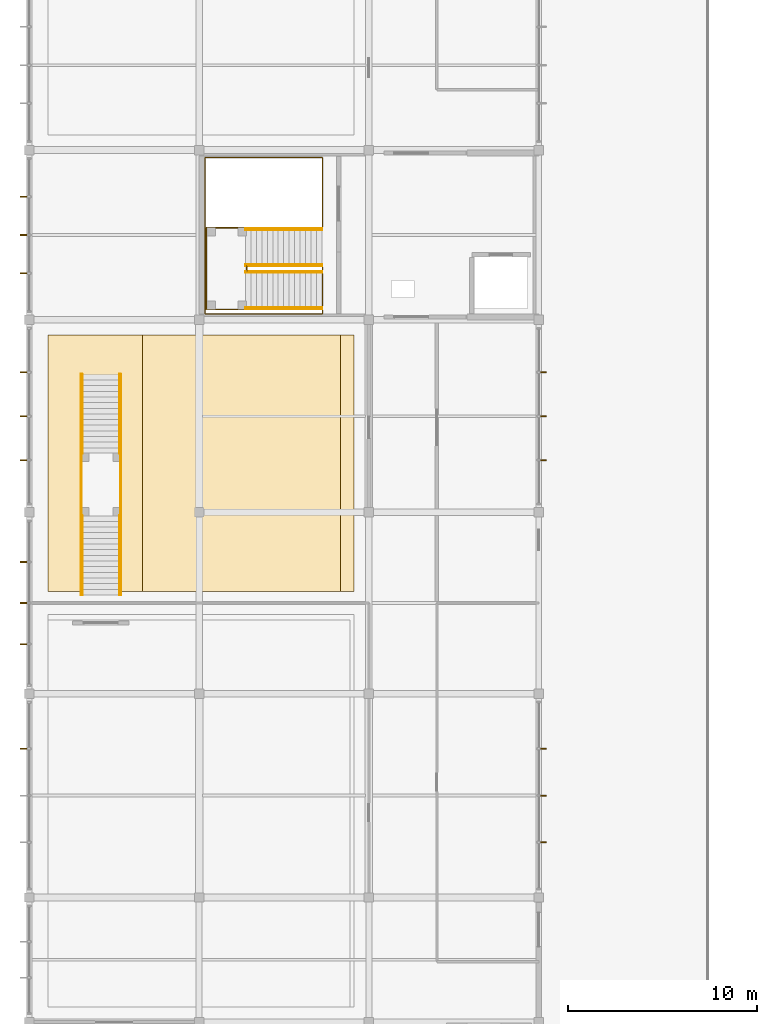
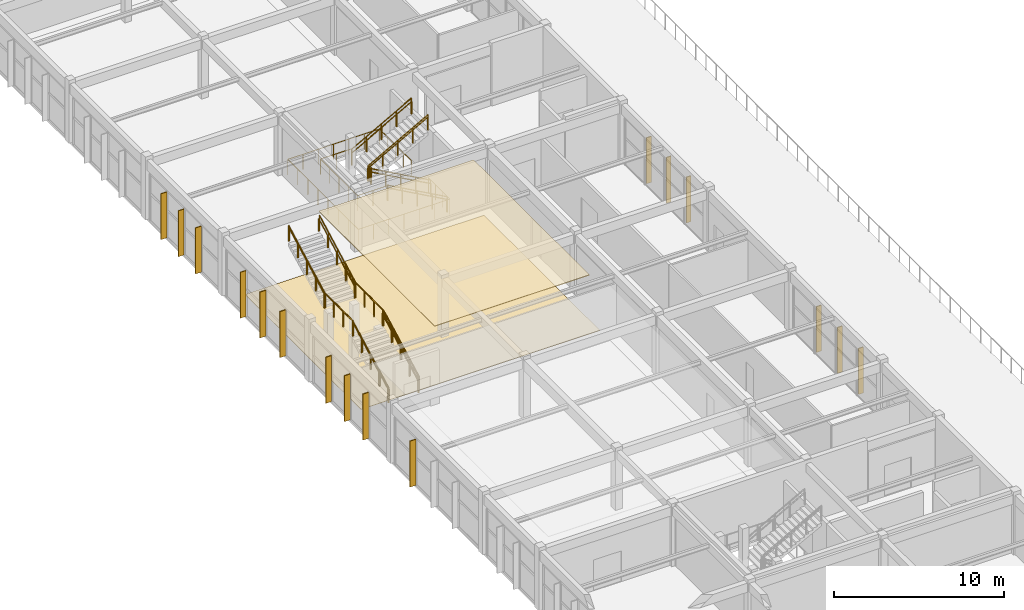
# One storey, part 19 of 22: 21 railings, 16 shading devices, 2 coverings.
"""IFC4 building model written with IfcOpenShell, lengths in metres."""

import ifcopenshell
import ifcopenshell.guid

model = None  # the IFC model being written
_history = None  # IfcOwnerHistory: only IFC2X3 demands one
_inside = {}  # id of a spatial element -> (the spatial element, [elements in it])
_under = {}  # id of a project, library or spatial element -> (it, [spatial elements below it])
_declared = {}  # id of a project -> (the project, [libraries it declares])
_typed = {}  # id of a type object -> (the type object, [elements of that type])
_made_of = {}  # id of a material, layer set ... -> (it, [elements and type objects made of it])


def new_model(schema):
    """Start an empty IFC model of exactly this schema.

    Asked for "IFC4X3", IfcOpenShell would pick the latest addendum, in which some entities
    have other attributes; the version numbers below select the first issue.
    IFC2X3 requires an IfcOwnerHistory on every rooted entity: one is made here for all.
    """
    global model, _history
    if schema == "IFC4X3":
        model = ifcopenshell.file(schema_version=(4, 3, 0, 0))
    else:
        model = ifcopenshell.file(schema=schema)
    _inside.clear()
    _under.clear()
    _declared.clear()
    _typed.clear()
    _made_of.clear()
    _history = None
    if model.schema == "IFC2X3":
        org = make("IfcOrganization", Name="unknown")
        user = make(
            "IfcPersonAndOrganization",
            ThePerson=make("IfcPerson", FamilyName="unknown"),
            TheOrganization=org,
        )
        app = make(
            "IfcApplication",
            ApplicationDeveloper=org,
            Version="unknown",
            ApplicationFullName="unknown",
            ApplicationIdentifier="unknown",
        )
        _history = make(
            "IfcOwnerHistory",
            OwningUser=user,
            OwningApplication=app,
            ChangeAction="ADDED",
            CreationDate=0,
        )
    return model


def make(cls, **values):
    """One entity of the class cls with the attributes given. An attribute that is None is left unset."""
    return model.create_entity(
        cls, **{name: value for name, value in values.items() if value is not None}
    )


def rooted(cls, **values):
    """An entity with a GlobalId (a new one), such as an element, a storey or a relation."""
    return make(cls, GlobalId=ifcopenshell.guid.new(), OwnerHistory=_history, **values)


def si_unit(unit_type, name, prefix=None):
    """IfcSIUnit, for example si_unit("LENGTHUNIT", "METRE", prefix="MILLI")."""
    return make("IfcSIUnit", UnitType=unit_type, Prefix=prefix, Name=name)


def assignment(units):
    """IfcUnitAssignment: the units of a project."""
    return None if units is None else make("IfcUnitAssignment", Units=units)


def point(xyz):
    """IfcCartesianPoint."""
    return None if xyz is None else make("IfcCartesianPoint", Coordinates=xyz)


def direction(xyz):
    """IfcDirection."""
    return None if xyz is None else make("IfcDirection", DirectionRatios=xyz)


def frame(location, z_axis=None, x_axis=None):
    """IfcAxis2Placement3D, a coordinate frame: its origin and axes. An axis left out is left unset."""
    return make(
        "IfcAxis2Placement3D",
        Location=point(location),
        Axis=direction(z_axis),
        RefDirection=direction(x_axis),
    )


def frame_2d(location, x_axis=None):
    """IfcAxis2Placement2D, a coordinate frame in the plane: its origin and x axis."""
    return make(
        "IfcAxis2Placement2D", Location=point(location), RefDirection=direction(x_axis)
    )


def origin():
    """The frame at (0, 0, 0) with its axes left unset."""
    return frame((0.0, 0.0, 0.0))


def origin_2d():
    """The frame at (0, 0) in the plane with its x axis left unset."""
    return frame_2d((0.0, 0.0))


def place(relative_to, where):
    """IfcLocalPlacement: puts the frame where relative to a parent placement (None: the world)."""
    return make(
        "IfcLocalPlacement", PlacementRelTo=relative_to, RelativePlacement=where
    )


def context(
    kind, dimensions, precision=None, world=None, true_north=None, identifier=None
):
    """IfcGeometricRepresentationContext, for example the 3D "Model" context."""
    return make(
        "IfcGeometricRepresentationContext",
        ContextIdentifier=identifier,
        ContextType=kind,
        CoordinateSpaceDimension=dimensions,
        Precision=precision,
        WorldCoordinateSystem=world,
        TrueNorth=true_north,
    )


def subcontext(parent, identifier, kind, view, scale=None):
    """IfcGeometricRepresentationSubContext, for example "Body" below "Model"."""
    return make(
        "IfcGeometricRepresentationSubContext",
        ContextIdentifier=identifier,
        ContextType=kind,
        ParentContext=parent,
        TargetScale=scale,
        TargetView=view,
    )


def project(units=None, contexts=None):
    """IfcProject with its units and contexts."""
    return rooted(
        "IfcProject",
        Name="project",
        RepresentationContexts=contexts,
        UnitsInContext=assignment(units),
    )


def spatial(cls, under=None, at=None, **own):
    """A site, building, storey or space (cls), placed at a placement, below another one or the project."""
    s = rooted(cls, ObjectPlacement=at, **own)
    if under is not None:
        _under.setdefault(under.id(), (under, []))[1].append(s)
    return s


def polyline(points):
    """IfcPolyline through the points."""
    return make("IfcPolyline", Points=[point(p) for p in points])


def profile(cls, at=None, kind="AREA", **sizes):
    """A parametric profile (cls). Its sizes go by their IFC names, for example OverallWidth=200.0."""
    return make(cls, ProfileType=kind, Position=at, **sizes)


def rectangle(**sizes):
    """IfcRectangleProfileDef."""
    return profile("IfcRectangleProfileDef", **sizes)


def circle(**sizes):
    """IfcCircleProfileDef."""
    return profile("IfcCircleProfileDef", **sizes)


def outline(outer, holes=None, kind="AREA"):
    """IfcArbitraryClosedProfileDef: a profile drawn as a closed curve; with holes, ...WithVoids."""
    if holes is None:
        return make("IfcArbitraryClosedProfileDef", ProfileType=kind, OuterCurve=outer)
    return make(
        "IfcArbitraryProfileDefWithVoids",
        ProfileType=kind,
        OuterCurve=outer,
        InnerCurves=holes,
    )


def extrude(swept, where, along, depth):
    """IfcExtrudedAreaSolid: the profile swept, set in the frame where, extruded along a direction by depth."""
    return make(
        "IfcExtrudedAreaSolid",
        SweptArea=swept,
        Position=where,
        ExtrudedDirection=direction(along),
        Depth=depth,
    )


def shape(context_of_items, identifier, shape_type, items):
    """IfcShapeRepresentation: the items that make up one representation, for example the "Body"."""
    return make(
        "IfcShapeRepresentation",
        ContextOfItems=context_of_items,
        RepresentationIdentifier=identifier,
        RepresentationType=shape_type,
        Items=items,
    )


def material(Name=None, Category=None):
    """IfcMaterial."""
    return make("IfcMaterial", Name=Name, Category=Category)


def layer(
    of_material, thickness, ventilated=None, Name=None, Category=None, Priority=None
):
    """IfcMaterialLayer: one layer of a wall or slab, of a material (None: an air gap)."""
    return make(
        "IfcMaterialLayer",
        Material=of_material,
        LayerThickness=thickness,
        IsVentilated=ventilated,
        Name=Name,
        Category=Category,
        Priority=Priority,
    )


def layer_set(layers, Name=None):
    """IfcMaterialLayerSet."""
    return make("IfcMaterialLayerSet", MaterialLayers=layers, LayerSetName=Name)


def made_of(thing, what):
    """Note that an element or type object is made of a material, layer set ...; save() writes the relation."""
    if what is not None:
        _made_of.setdefault(what.id(), (what, []))[1].append(thing)
    return thing


def type_object(cls, material=None, **own):
    """A type object (cls), such as IfcWallType, which elements share."""
    return made_of(rooted(cls, **own), material)


def element(
    cls,
    number,
    at=None,
    inside=None,
    cuts=None,
    type_object=None,
    material=None,
    context=None,
    identifier="Body",
    shape_type=None,
    held_by="IfcProductDefinitionShape",
    body=None,
    shapes=None,
    **own,
):
    """One element of the class cls, such as IfcWall. Its Tag is "e" and its number.

    at: its placement. inside: the storey or other place that contains it. cuts: it is an
    opening in that element (IfcRelVoidsElement). A single representation is given by context,
    identifier, shape_type and body (its items); several are given by shapes. held_by: the class
    of the entity that holds the representations. save() writes the other relations.
    """
    e = rooted(cls, Tag="e%d" % number, ObjectPlacement=at, **own)
    if body is not None:
        shapes = [shape(context, identifier, shape_type, body)]
    if shapes is not None:
        e.Representation = make(held_by, Representations=shapes)
    if inside is not None:
        _inside.setdefault(inside.id(), (inside, []))[1].append(e)
    if cuts is not None:
        rooted(
            "IfcRelVoidsElement", RelatingBuildingElement=cuts, RelatedOpeningElement=e
        )
    if type_object is not None:
        _typed.setdefault(type_object.id(), (type_object, []))[1].append(e)
    return made_of(e, material)


def aggregate(whole, parts):
    """IfcRelAggregates: a whole, such as a stair, and the parts it consists of."""
    return rooted("IfcRelAggregates", RelatingObject=whole, RelatedObjects=parts)


def save(model, path):
    """Write the relations noted so far, then the file.

    IfcRelAggregates (storeys below a building ...), IfcRelContainedInSpatialStructure (elements
    in a storey), IfcRelDefinesByType, IfcRelAssociatesMaterial and IfcRelDeclares: one each for
    every whole, place, type object, material and project.
    """
    for whole, parts in _under.values():
        aggregate(whole, parts)
    for where, things in _inside.values():
        rooted(
            "IfcRelContainedInSpatialStructure",
            RelatedElements=things,
            RelatingStructure=where,
        )
    for kind, things in _typed.values():
        rooted("IfcRelDefinesByType", RelatedObjects=things, RelatingType=kind)
    for what, things in _made_of.values():
        rooted("IfcRelAssociatesMaterial", RelatedObjects=things, RelatingMaterial=what)
    for by, libraries in _declared.values():
        rooted("IfcRelDeclares", RelatingContext=by, RelatedDefinitions=libraries)
    model.write(path)


model = new_model("IFC4")

# Units and contexts
model_context = context("Model", 3, precision=1e-05, world=origin(), true_north=direction((0.0, 1.0)))
body_context = subcontext(model_context, "Body", "Model", "MODEL_VIEW")
ifc_project = project(units=[si_unit("LENGTHUNIT", "METRE"), si_unit("AREAUNIT", "SQUARE_METRE"), si_unit("VOLUMEUNIT", "CUBIC_METRE"), si_unit("PLANEANGLEUNIT", "RADIAN"), si_unit("MASSUNIT", "GRAM", prefix="KILO")], contexts=[model_context])

# Site, building, storey
site_placement = place(None, origin())
site = spatial("IfcSite", under=ifc_project, at=site_placement, CompositionType="ELEMENT")
building_placement = place(site_placement, origin())
building = spatial("IfcBuilding", under=site, at=building_placement, Name="Suirenkawa Promenade Aquatics Centre", CompositionType="ELEMENT")
storey_placement = place(building_placement, frame((0.0, 0.0, 14.10009765625)))
storey = spatial("IfcBuildingStorey", under=building, at=storey_placement, Name="L03", CompositionType="ELEMENT", Elevation=14.10009765625)

# Coverings
ifc_material_1 = material(Name="Anodised aluminium 6063-T6", Category="aluminium")
ifc_layer_1 = layer(ifc_material_1, 0.044921875, Name="Anodised aluminium 6063-T6", Category="aluminium")
ifc_layer_set_1 = layer_set([ifc_layer_1], Name="Anodised aluminium 6063-T6")
covering_type_1 = type_object("IfcCoveringType", Name="CVT-BAFFLE-CEIL", PredefinedType="CEILING", material=ifc_layer_set_1)
covering_1_placement = place(storey_placement, frame((0.0, 0.0, 4.204833984375)))
element("IfcCovering", 1, at=covering_1_placement, inside=storey, type_object=covering_type_1, Name="Acoustic baffle ceiling CLG-01 CLG-009", PredefinedType="CEILING", context=body_context, shape_type="SweptSolid", body=[
    extrude(outline(polyline([(6.0, 45.0), (16.5, 45.0), (16.5, 58.60009765625), (6.0, 58.60009765625), (6.0, 45.0)])), origin(), (0.0, 0.0, 1.0), 0.045166015625),
])
ifc_material_2 = material(Name="Engineered maple acoustic sports timber", Category="wood")
ifc_layer_2 = layer(ifc_material_2, 0.030029296875, Name="Engineered maple acoustic sports timber", Category="wood")
ifc_layer_set_2 = layer_set([ifc_layer_2], Name="Engineered maple acoustic sports timber")
covering_type_2 = type_object("IfcCoveringType", Name="CVT-SPORTS-MAPLE", PredefinedType="FLOORING", material=ifc_layer_set_2)
covering_2_placement = place(storey_placement, origin())
element("IfcCovering", 2, at=covering_2_placement, inside=storey, type_object=covering_type_2, Name="Floor finish FLR-02 FLR-011", PredefinedType="FLOORING", context=body_context, shape_type="SweptSolid", body=[
    extrude(outline(polyline([(1.0, 45.0), (17.199951171875, 45.0), (17.199951171875, 58.60009765625), (1.0, 58.60009765625), (1.0, 45.0)])), origin(), (0.0, 0.0, 1.0), 0.02978515625),
])

# Railings
ifc_material_3 = material(Name="Marine-grade stainless steel Grade 316L", Category="steel")
railing_type_1 = type_object("IfcRailingType", Name="RLT-GUARD-1120", PredefinedType="GUARDRAIL", material=ifc_material_3)
for number, where, name in (
    (3, (15.514892578125, 61.9599609375, 0.0), "Guardrail GRD-01 RL-0091"),
    (4, (15.514892578125, 60.0, 0.0), "Guardrail GRD-01 RL-0093"),
):
    element("IfcRailing", number, at=place(storey_placement, frame(where)), inside=storey, type_object=railing_type_1, Name=name, PredefinedType="GUARDRAIL", context=body_context, shape_type="SweptSolid", body=[
        extrude(circle(Radius=0.02392578125, at=origin_2d()), frame((0.0, 0.0, 1.09619140625), z_axis=(-0.874655505744, 0.0, 0.484745032229), x_axis=(0.0, -1.0, 0.0)), (0.0, 0.0, 1.0), 4.6416015625),
        extrude(circle(Radius=0.02099609375, at=origin_2d()), origin(), (0.0, 0.0, 1.0), 1.072021484375),
        extrude(circle(Radius=0.02099609375, at=origin_2d()), frame((-1.014892578125, 0.0, 0.5625)), (0.0, 0.0, 1.0), 1.072021484375),
        extrude(circle(Radius=0.02099609375, at=origin_2d()), frame((-2.02978515625, 0.0, 1.125)), (0.0, 0.0, 1.0), 1.072021484375),
        extrude(circle(Radius=0.02099609375, at=origin_2d()), frame((-3.044921875, 0.0, 1.6875)), (0.0, 0.0, 1.0), 1.072021484375),
        extrude(circle(Radius=0.02099609375, at=origin_2d()), frame((-4.059814453125, 0.0, 2.25)), (0.0, 0.0, 1.0), 1.072021484375),
    ])
for number, where, name in (
    (5, (11.455078125, 62.27001953125, 2.25), "Guardrail GRD-01 RL-0095"),
    (6, (11.455078125, 64.22998046875, 2.25), "Guardrail GRD-01 RL-0097"),
):
    element("IfcRailing", number, at=place(storey_placement, frame(where)), inside=storey, type_object=railing_type_1, Name=name, PredefinedType="GUARDRAIL", context=body_context, shape_type="SweptSolid", body=[
        extrude(circle(Radius=0.02392578125, at=origin_2d()), frame((0.0, 0.0, 1.09619140625), z_axis=(0.874655505744, 0.0, 0.484745032229), x_axis=(0.0, 1.0, 0.0)), (0.0, 0.0, 1.0), 4.6416015625),
        extrude(circle(Radius=0.02099609375, at=origin_2d()), origin(), (0.0, 0.0, 1.0), 1.072021484375),
        extrude(circle(Radius=0.02099609375, at=origin_2d()), frame((1.014892578125, 0.0, 0.5625)), (0.0, 0.0, 1.0), 1.072021484375),
        extrude(circle(Radius=0.02099609375, at=origin_2d()), frame((2.02978515625, 0.0, 1.125)), (0.0, 0.0, 1.0), 1.072021484375),
        extrude(circle(Radius=0.02099609375, at=origin_2d()), frame((3.044921875, 0.0, 1.6875)), (0.0, 0.0, 1.0), 1.072021484375),
        extrude(circle(Radius=0.02099609375, at=origin_2d()), frame((4.059814453125, 0.0, 2.25)), (0.0, 0.0, 1.0), 1.072021484375),
    ])
railing_1_placement = place(storey_placement, frame((11.52001953125, 59.949951171875, 2.25)))
element("IfcRailing", 7, at=railing_1_placement, inside=storey, type_object=railing_type_1, Name="Guardrail GRD-01 RL-0099", PredefinedType="GUARDRAIL", context=body_context, shape_type="SweptSolid", body=[
    extrude(circle(Radius=0.02392578125, at=origin_2d()), frame((0.0, 0.0, 1.09619140625), z_axis=(-1.0, 0.0, 0.0), x_axis=(0.0, -1.0, 0.0)), (0.0, 0.0, 1.0), 2.130126953125),
    extrude(circle(Radius=0.02392578125, at=origin_2d()), frame((-2.130126953125, 0.0, 1.09619140625), z_axis=(0.0, 1.0, 0.0), x_axis=(-1.0, 0.0, 0.0)), (0.0, 0.0, 1.0), 4.330078125),
    extrude(circle(Radius=0.02392578125, at=origin_2d()), frame((-2.130126953125, 4.330078125, 1.09619140625), z_axis=(1.0, 0.0, 0.0), x_axis=(0.0, 1.0, 0.0)), (0.0, 0.0, 1.0), 2.130126953125),
    extrude(circle(Radius=0.02099609375, at=origin_2d()), origin(), (0.0, 0.0, 1.0), 1.072021484375),
    extrude(circle(Radius=0.02099609375, at=origin_2d()), frame((-1.06494140625, 0.0, 0.0)), (0.0, 0.0, 1.0), 1.072021484375),
    extrude(circle(Radius=0.02099609375, at=origin_2d()), frame((-2.130126953125, 0.0, 0.0)), (0.0, 0.0, 1.0), 1.072021484375),
    extrude(circle(Radius=0.02099609375, at=origin_2d()), frame((-2.130126953125, 1.08251953125, 0.0)), (0.0, 0.0, 1.0), 1.072021484375),
    extrude(circle(Radius=0.02099609375, at=origin_2d()), frame((-2.130126953125, 2.1650390625, 0.0)), (0.0, 0.0, 1.0), 1.072021484375),
    extrude(circle(Radius=0.02099609375, at=origin_2d()), frame((-2.130126953125, 3.24755859375, 0.0)), (0.0, 0.0, 1.0), 1.072021484375),
    extrude(circle(Radius=0.02099609375, at=origin_2d()), frame((-2.130126953125, 4.330078125, 0.0)), (0.0, 0.0, 1.0), 1.072021484375),
    extrude(circle(Radius=0.02099609375, at=origin_2d()), frame((-1.06494140625, 4.330078125, 0.0)), (0.0, 0.0, 1.0), 1.072021484375),
    extrude(circle(Radius=0.02099609375, at=origin_2d()), frame((0.0, 4.330078125, 0.0)), (0.0, 0.0, 1.0), 1.072021484375),
])
railing_2_placement = place(storey_placement, frame((11.52001953125, 61.989990234375, 2.25)))
element("IfcRailing", 8, at=railing_2_placement, inside=storey, type_object=railing_type_1, Name="Guardrail GRD-01 RL-0100", PredefinedType="GUARDRAIL", context=body_context, shape_type="SweptSolid", body=[
    extrude(circle(Radius=0.02392578125, at=origin_2d()), frame((0.0, 0.0, 1.09619140625), z_axis=(0.0, 1.0, 0.0), x_axis=(-1.0, 0.0, 0.0)), (0.0, 0.0, 1.0), 0.25),
    extrude(circle(Radius=0.02099609375, at=origin_2d()), origin(), (0.0, 0.0, 1.0), 1.072021484375),
    extrude(circle(Radius=0.02099609375, at=origin_2d()), frame((0.0, 0.25, 0.0)), (0.0, 0.0, 1.0), 1.072021484375),
])
for number, where, name in (
    (9, (2.7548828125, 44.830078125, 0.0), "Guardrail GRD-01 RL-0371"),
    (10, (4.844970703125, 44.830078125, 0.0), "Guardrail GRD-01 RL-0373"),
    (11, (2.7548828125, 52.320068359375, 2.25), "Guardrail GRD-01 RL-0375"),
    (12, (4.844970703125, 52.320068359375, 2.25), "Guardrail GRD-01 RL-0377"),
):
    element("IfcRailing", number, at=place(storey_placement, frame(where)), inside=storey, type_object=railing_type_1, Name=name, PredefinedType="GUARDRAIL", context=body_context, shape_type="SweptSolid", body=[
        extrude(circle(Radius=0.02392578125, at=origin_2d()), frame((0.0, 0.0, 1.09619140625), z_axis=(0.0, 0.881477684796, 0.472225678258), x_axis=(-1.0, 0.0, 0.0)), (0.0, 0.0, 1.0), 4.7646484375),
        extrude(circle(Radius=0.02099609375, at=origin_2d()), origin(), (0.0, 0.0, 1.0), 1.072021484375),
        extrude(circle(Radius=0.02099609375, at=origin_2d()), frame((0.0, 1.050048828125, 0.5625)), (0.0, 0.0, 1.0), 1.072021484375),
        extrude(circle(Radius=0.02099609375, at=origin_2d()), frame((0.0, 2.10009765625, 1.125)), (0.0, 0.0, 1.0), 1.072021484375),
        extrude(circle(Radius=0.02099609375, at=origin_2d()), frame((0.0, 3.14990234375, 1.6875)), (0.0, 0.0, 1.0), 1.072021484375),
        extrude(circle(Radius=0.02099609375, at=origin_2d()), frame((0.0, 4.199951171875, 2.25)), (0.0, 0.0, 1.0), 1.072021484375),
    ])
for number, where, name in (
    (13, (2.7548828125, 49.0048828125, 2.25), "Guardrail GRD-01 RL-0379"),
    (14, (4.844970703125, 49.0048828125, 2.25), "Guardrail GRD-01 RL-0380"),
):
    element("IfcRailing", number, at=place(storey_placement, frame(where)), inside=storey, type_object=railing_type_1, Name=name, PredefinedType="GUARDRAIL", context=body_context, shape_type="SweptSolid", body=[
        extrude(circle(Radius=0.02392578125, at=origin_2d()), frame((0.0, 0.0, 1.09619140625), z_axis=(0.0, 1.0, 0.0), x_axis=(-1.0, 0.0, 0.0)), (0.0, 0.0, 1.0), 3.340087890625),
        extrude(circle(Radius=0.02099609375, at=origin_2d()), origin(), (0.0, 0.0, 1.0), 1.072021484375),
        extrude(circle(Radius=0.02099609375, at=origin_2d()), frame((0.0, 1.11328125, 0.0)), (0.0, 0.0, 1.0), 1.072021484375),
        extrude(circle(Radius=0.02099609375, at=origin_2d()), frame((0.0, 2.226806640625, 0.0)), (0.0, 0.0, 1.0), 1.072021484375),
        extrude(circle(Radius=0.02099609375, at=origin_2d()), frame((0.0, 3.340087890625, 0.0)), (0.0, 0.0, 1.0), 1.072021484375),
    ])
railing_3_placement = place(storey_placement, frame((15.530029296875, 64.260009765625, 0.0)))
element("IfcRailing", 15, at=railing_3_placement, inside=storey, type_object=railing_type_1, Name="Guardrail GRD-01 RL-0410", PredefinedType="GUARDRAIL", context=body_context, shape_type="SweptSolid", body=[
    extrude(circle(Radius=0.02392578125, at=origin_2d()), frame((0.0, 0.0, 1.09619140625), z_axis=(0.0, 1.0, 0.0), x_axis=(-1.0, 0.0, 0.0)), (0.0, 0.0, 1.0), 3.739990234375),
    extrude(circle(Radius=0.02392578125, at=origin_2d()), frame((0.0, 3.739990234375, 1.09619140625), z_axis=(-1.0, 0.0, 0.0), x_axis=(0.0, -1.0, 0.0)), (0.0, 0.0, 1.0), 6.2099609375),
    extrude(circle(Radius=0.02392578125, at=origin_2d()), frame((-6.2099609375, 3.739990234375, 1.09619140625), z_axis=(0.0, -1.0, 0.0), x_axis=(1.0, 0.0, 0.0)), (0.0, 0.0, 1.0), 8.280029296875),
    extrude(circle(Radius=0.02392578125, at=origin_2d()), frame((-6.2099609375, -4.5400390625, 1.09619140625), z_axis=(1.0, 0.0, 0.0), x_axis=(0.0, 1.0, 0.0)), (0.0, 0.0, 1.0), 6.2099609375),
    extrude(circle(Radius=0.02392578125, at=origin_2d()), frame((0.0, -4.5400390625, 1.09619140625), z_axis=(0.0, 1.0, 0.0), x_axis=(-1.0, 0.0, 0.0)), (0.0, 0.0, 1.0), 2.52001953125),
    extrude(circle(Radius=0.02099609375, at=origin_2d()), origin(), (0.0, 0.0, 1.0), 1.072021484375),
    extrude(circle(Radius=0.02099609375, at=origin_2d()), frame((0.0, 0.93505859375, 0.0)), (0.0, 0.0, 1.0), 1.072021484375),
    extrude(circle(Radius=0.02099609375, at=origin_2d()), frame((0.0, 1.8701171875, 0.0)), (0.0, 0.0, 1.0), 1.072021484375),
    extrude(circle(Radius=0.02099609375, at=origin_2d()), frame((0.0, 2.804931640625, 0.0)), (0.0, 0.0, 1.0), 1.072021484375),
    extrude(circle(Radius=0.02099609375, at=origin_2d()), frame((0.0, 3.739990234375, 0.0)), (0.0, 0.0, 1.0), 1.072021484375),
    extrude(circle(Radius=0.02099609375, at=origin_2d()), frame((-1.034912109375, 3.739990234375, 0.0)), (0.0, 0.0, 1.0), 1.072021484375),
    extrude(circle(Radius=0.02099609375, at=origin_2d()), frame((-2.070068359375, 3.739990234375, 0.0)), (0.0, 0.0, 1.0), 1.072021484375),
    extrude(circle(Radius=0.02099609375, at=origin_2d()), frame((-3.10498046875, 3.739990234375, 0.0)), (0.0, 0.0, 1.0), 1.072021484375),
    extrude(circle(Radius=0.02099609375, at=origin_2d()), frame((-4.139892578125, 3.739990234375, 0.0)), (0.0, 0.0, 1.0), 1.072021484375),
    extrude(circle(Radius=0.02099609375, at=origin_2d()), frame((-5.175048828125, 3.739990234375, 0.0)), (0.0, 0.0, 1.0), 1.072021484375),
    extrude(circle(Radius=0.02099609375, at=origin_2d()), frame((-6.2099609375, 3.739990234375, 0.0)), (0.0, 0.0, 1.0), 1.072021484375),
    extrude(circle(Radius=0.02099609375, at=origin_2d()), frame((-6.2099609375, 2.55712890625, 0.0)), (0.0, 0.0, 1.0), 1.072021484375),
    extrude(circle(Radius=0.02099609375, at=origin_2d()), frame((-6.2099609375, 1.374267578125, 0.0)), (0.0, 0.0, 1.0), 1.072021484375),
    extrude(circle(Radius=0.02099609375, at=origin_2d()), frame((-6.2099609375, 0.19140625, 0.0)), (0.0, 0.0, 1.0), 1.072021484375),
    extrude(circle(Radius=0.02099609375, at=origin_2d()), frame((-6.2099609375, -0.991455078125, 0.0)), (0.0, 0.0, 1.0), 1.072021484375),
    extrude(circle(Radius=0.02099609375, at=origin_2d()), frame((-6.2099609375, -2.17431640625, 0.0)), (0.0, 0.0, 1.0), 1.072021484375),
    extrude(circle(Radius=0.02099609375, at=origin_2d()), frame((-6.2099609375, -3.357177734375, 0.0)), (0.0, 0.0, 1.0), 1.072021484375),
    extrude(circle(Radius=0.02099609375, at=origin_2d()), frame((-6.2099609375, -4.5400390625, 0.0)), (0.0, 0.0, 1.0), 1.072021484375),
    extrude(circle(Radius=0.02099609375, at=origin_2d()), frame((-5.175048828125, -4.5400390625, 0.0)), (0.0, 0.0, 1.0), 1.072021484375),
    extrude(circle(Radius=0.02099609375, at=origin_2d()), frame((-4.139892578125, -4.5400390625, 0.0)), (0.0, 0.0, 1.0), 1.072021484375),
    extrude(circle(Radius=0.02099609375, at=origin_2d()), frame((-3.10498046875, -4.5400390625, 0.0)), (0.0, 0.0, 1.0), 1.072021484375),
    extrude(circle(Radius=0.02099609375, at=origin_2d()), frame((-2.070068359375, -4.5400390625, 0.0)), (0.0, 0.0, 1.0), 1.072021484375),
    extrude(circle(Radius=0.02099609375, at=origin_2d()), frame((-1.034912109375, -4.5400390625, 0.0)), (0.0, 0.0, 1.0), 1.072021484375),
    extrude(circle(Radius=0.02099609375, at=origin_2d()), frame((0.0, -4.5400390625, 0.0)), (0.0, 0.0, 1.0), 1.072021484375),
    extrude(circle(Radius=0.02099609375, at=origin_2d()), frame((0.0, -3.699951171875, 0.0)), (0.0, 0.0, 1.0), 1.072021484375),
    extrude(circle(Radius=0.02099609375, at=origin_2d()), frame((0.0, -2.860107421875, 0.0)), (0.0, 0.0, 1.0), 1.072021484375),
    extrude(circle(Radius=0.02099609375, at=origin_2d()), frame((0.0, -2.02001953125, 0.0)), (0.0, 0.0, 1.0), 1.072021484375),
])
railing_type_2 = type_object("IfcRailingType", Name="RLT-HANDRAIL-900", PredefinedType="HANDRAIL", material=ifc_material_3)
for number, where, name in (
    (16, (15.514892578125, 61.909912109375, 0.0), "Handrail HRL-01 RL-0092"),
    (17, (15.514892578125, 60.050048828125, 0.0), "Handrail HRL-01 RL-0094"),
):
    element("IfcRailing", number, at=place(storey_placement, frame(where)), inside=storey, type_object=railing_type_2, Name=name, PredefinedType="HANDRAIL", context=body_context, shape_type="SweptSolid", body=[
        extrude(circle(Radius=0.02392578125, at=origin_2d()), frame((0.0, 0.0, 0.8759765625), z_axis=(-0.874655505744, 0.0, 0.484745032229), x_axis=(0.0, -1.0, 0.0)), (0.0, 0.0, 1.0), 4.6416015625),
        extrude(circle(Radius=0.02099609375, at=origin_2d()), origin(), (0.0, 0.0, 1.0), 0.851806640625),
        extrude(circle(Radius=0.02099609375, at=origin_2d()), frame((-1.014892578125, 0.0, 0.5625)), (0.0, 0.0, 1.0), 0.851806640625),
        extrude(circle(Radius=0.02099609375, at=origin_2d()), frame((-2.02978515625, 0.0, 1.125)), (0.0, 0.0, 1.0), 0.851806640625),
        extrude(circle(Radius=0.02099609375, at=origin_2d()), frame((-3.044921875, 0.0, 1.6875)), (0.0, 0.0, 1.0), 0.851806640625),
        extrude(circle(Radius=0.02099609375, at=origin_2d()), frame((-4.059814453125, 0.0, 2.25)), (0.0, 0.0, 1.0), 0.851806640625),
    ])
for number, where, name in (
    (18, (11.455078125, 62.320068359375, 2.25), "Handrail HRL-01 RL-0096"),
    (19, (11.455078125, 64.179931640625, 2.25), "Handrail HRL-01 RL-0098"),
):
    element("IfcRailing", number, at=place(storey_placement, frame(where)), inside=storey, type_object=railing_type_2, Name=name, PredefinedType="HANDRAIL", context=body_context, shape_type="SweptSolid", body=[
        extrude(circle(Radius=0.02392578125, at=origin_2d()), frame((0.0, 0.0, 0.8759765625), z_axis=(0.874655505744, 0.0, 0.484745032229), x_axis=(0.0, 1.0, 0.0)), (0.0, 0.0, 1.0), 4.6416015625),
        extrude(circle(Radius=0.02099609375, at=origin_2d()), origin(), (0.0, 0.0, 1.0), 0.851806640625),
        extrude(circle(Radius=0.02099609375, at=origin_2d()), frame((1.014892578125, 0.0, 0.5625)), (0.0, 0.0, 1.0), 0.851806640625),
        extrude(circle(Radius=0.02099609375, at=origin_2d()), frame((2.02978515625, 0.0, 1.125)), (0.0, 0.0, 1.0), 0.851806640625),
        extrude(circle(Radius=0.02099609375, at=origin_2d()), frame((3.044921875, 0.0, 1.6875)), (0.0, 0.0, 1.0), 0.851806640625),
        extrude(circle(Radius=0.02099609375, at=origin_2d()), frame((4.059814453125, 0.0, 2.25)), (0.0, 0.0, 1.0), 0.851806640625),
    ])
for number, where, name in (
    (20, (2.804931640625, 44.830078125, 0.0), "Handrail HRL-01 RL-0372"),
    (21, (4.794921875, 44.830078125, 0.0), "Handrail HRL-01 RL-0374"),
    (22, (2.804931640625, 52.320068359375, 2.25), "Handrail HRL-01 RL-0376"),
    (23, (4.794921875, 52.320068359375, 2.25), "Handrail HRL-01 RL-0378"),
):
    element("IfcRailing", number, at=place(storey_placement, frame(where)), inside=storey, type_object=railing_type_2, Name=name, PredefinedType="HANDRAIL", context=body_context, shape_type="SweptSolid", body=[
        extrude(circle(Radius=0.02392578125, at=origin_2d()), frame((0.0, 0.0, 0.8759765625), z_axis=(0.0, 0.881477684796, 0.472225678258), x_axis=(-1.0, 0.0, 0.0)), (0.0, 0.0, 1.0), 4.7646484375),
        extrude(circle(Radius=0.02099609375, at=origin_2d()), origin(), (0.0, 0.0, 1.0), 0.851806640625),
        extrude(circle(Radius=0.02099609375, at=origin_2d()), frame((0.0, 1.050048828125, 0.5625)), (0.0, 0.0, 1.0), 0.851806640625),
        extrude(circle(Radius=0.02099609375, at=origin_2d()), frame((0.0, 2.10009765625, 1.125)), (0.0, 0.0, 1.0), 0.851806640625),
        extrude(circle(Radius=0.02099609375, at=origin_2d()), frame((0.0, 3.14990234375, 1.6875)), (0.0, 0.0, 1.0), 0.851806640625),
        extrude(circle(Radius=0.02099609375, at=origin_2d()), frame((0.0, 4.199951171875, 2.25)), (0.0, 0.0, 1.0), 0.851806640625),
    ])

# Shading devices
shading_device_type_1 = type_object("IfcShadingDeviceType", Name="SDT-KOUSHI-320", PredefinedType="USERDEFINED", material=ifc_material_1)
for number, where, z_axis, x_axis, name in (
    (24, (27.23193359375, 36.675537109375, 0.039794921875), (0.0, 0.0, 1.0), (1.0, 0.0, 0.0), "Vertical solar shading fin FN-02 FIN-0205"),
    (25, (27.23193359375, 34.199951171875, 0.039794921875), (0.0, 0.0, 1.0), (1.0, 0.0, 0.0), "Vertical solar shading fin FN-02 FIN-0206"),
    (26, (27.23193359375, 31.724609375, 0.039794921875), (0.0, 0.0, 1.0), (1.0, 0.0, 0.0), "Vertical solar shading fin FN-02 FIN-0207"),
    (27, (27.23193359375, 56.62548828125, 0.039794921875), (0.0, 0.0, 1.0), (1.0, 0.0, 0.0), "Vertical solar shading fin FN-02 FIN-0214"),
    (28, (27.23193359375, 54.300048828125, 0.039794921875), (0.0, 0.0, 1.0), (1.0, 0.0, 0.0), "Vertical solar shading fin FN-02 FIN-0215"),
    (29, (27.23193359375, 51.974609375, 0.039794921875), (0.0, 0.0, 1.0), (1.0, 0.0, 0.0), "Vertical solar shading fin FN-02 FIN-0216"),
):
    element("IfcShadingDevice", number, at=place(storey_placement, frame(where, z_axis=z_axis, x_axis=x_axis)), inside=storey, type_object=shading_device_type_1, Name=name, ObjectType="FIN", PredefinedType="USERDEFINED", context=body_context, shape_type="SweptSolid", body=[
        extrude(rectangle(XDim=0.320068359375, YDim=0.06005859375, at=origin_2d()), origin(), (0.0, 0.0, 1.0), 3.2900390625),
    ])
shading_device_type_2 = type_object("IfcShadingDeviceType", Name="SDT-KOUSHI-400", PredefinedType="USERDEFINED", material=ifc_material_1)
for number, where, z_axis, x_axis, name in (
    (30, (-0.287109375, 36.675537109375, 0.039794921875), (0.0, 0.0, 1.0), (-1.0, 0.0, 0.0), "Vertical solar shading fin FN-01 FIN-0204"),
    (31, (-0.287109375, 42.224609375, 0.039794921875), (0.0, 0.0, 1.0), (-1.0, 0.0, 0.0), "Vertical solar shading fin FN-01 FIN-0208"),
    (32, (-0.287109375, 44.39990234375, 0.039794921875), (0.0, 0.0, 1.0), (-1.0, 0.0, 0.0), "Vertical solar shading fin FN-01 FIN-0209"),
    (33, (-0.287109375, 46.575439453125, 0.039794921875), (0.0, 0.0, 1.0), (-1.0, 0.0, 0.0), "Vertical solar shading fin FN-01 FIN-0210"),
    (34, (-0.287109375, 51.974609375, 0.039794921875), (0.0, 0.0, 1.0), (-1.0, 0.0, 0.0), "Vertical solar shading fin FN-01 FIN-0211"),
    (35, (-0.287109375, 54.300048828125, 0.039794921875), (0.0, 0.0, 1.0), (-1.0, 0.0, 0.0), "Vertical solar shading fin FN-01 FIN-0212"),
    (36, (-0.287109375, 56.62548828125, 0.039794921875), (0.0, 0.0, 1.0), (-1.0, 0.0, 0.0), "Vertical solar shading fin FN-01 FIN-0213"),
    (37, (-0.287109375, 61.87451171875, 0.039794921875), (0.0, 0.0, 1.0), (-1.0, 0.0, 0.0), "Vertical solar shading fin FN-01 FIN-0217"),
    (38, (-0.287109375, 63.89990234375, 0.039794921875), (0.0, 0.0, 1.0), (-1.0, 0.0, 0.0), "Vertical solar shading fin FN-01 FIN-0218"),
    (39, (-0.287109375, 65.925537109375, 0.039794921875), (0.0, 0.0, 1.0), (-1.0, 0.0, 0.0), "Vertical solar shading fin FN-01 FIN-0219"),
):
    element("IfcShadingDevice", number, at=place(storey_placement, frame(where, z_axis=z_axis, x_axis=x_axis)), inside=storey, type_object=shading_device_type_2, Name=name, ObjectType="FIN", PredefinedType="USERDEFINED", context=body_context, shape_type="SweptSolid", body=[
        extrude(rectangle(XDim=0.39990234375, YDim=0.06005859375, at=origin_2d()), origin(), (0.0, 0.0, 1.0), 3.2900390625),
    ])

save(model, "model.ifc")
